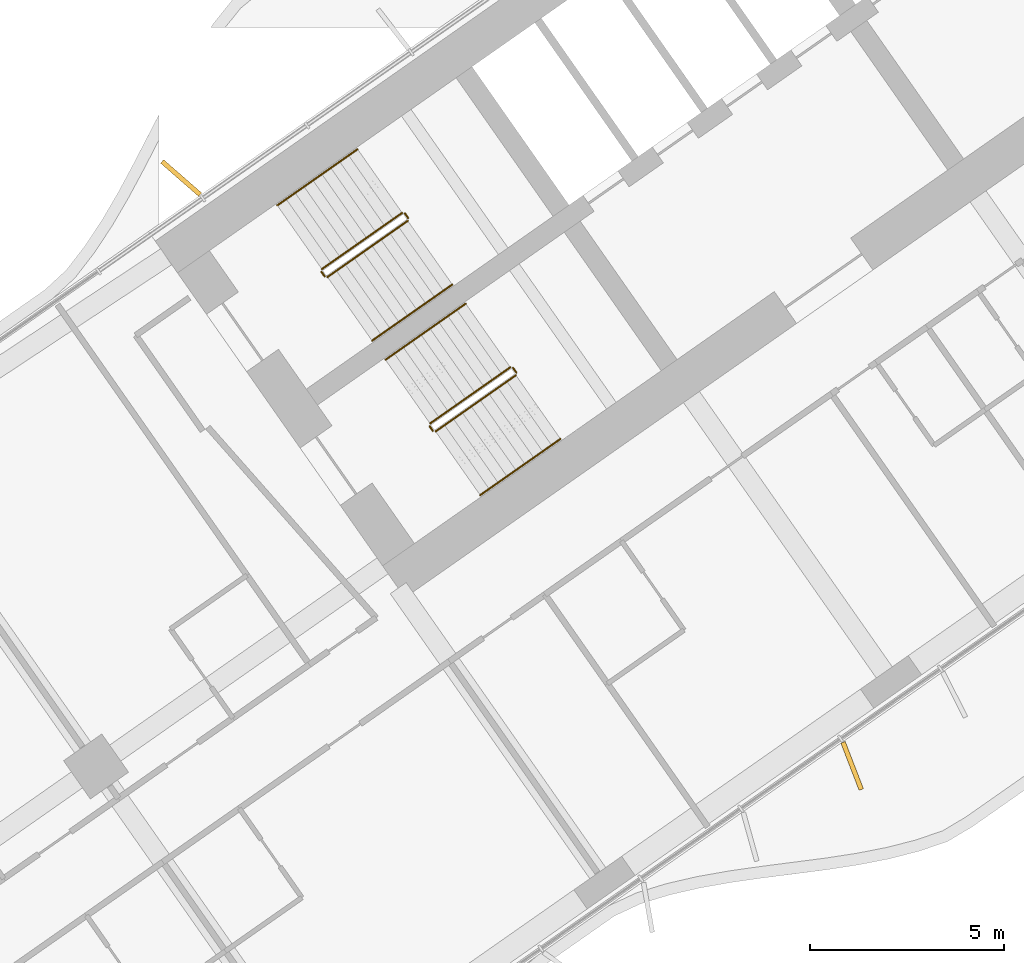
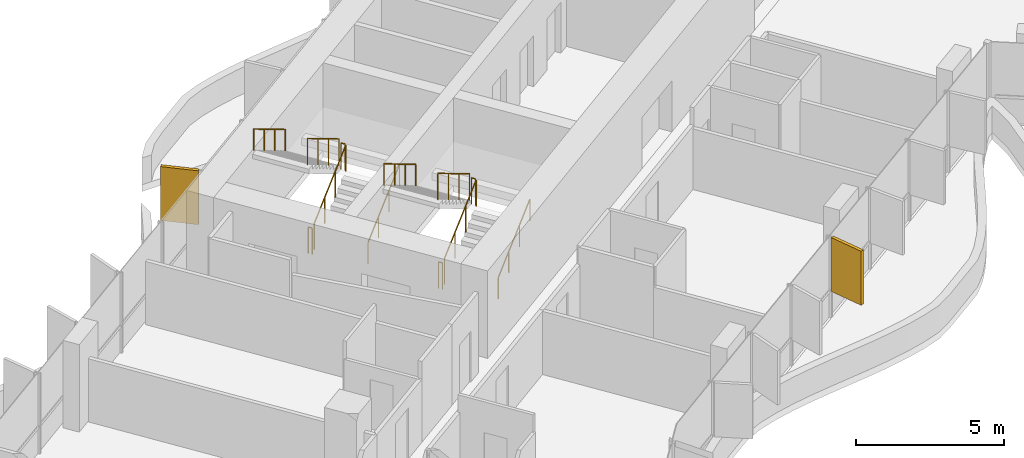
# One storey, part 20 of 25: 12 railings, 2 shading devices.
"""IFC4 building model written with IfcOpenShell, lengths in metres."""

import ifcopenshell
import ifcopenshell.guid

model = None  # the IFC model being written
_history = None  # IfcOwnerHistory: only IFC2X3 demands one
_inside = {}  # id of a spatial element -> (the spatial element, [elements in it])
_under = {}  # id of a project, library or spatial element -> (it, [spatial elements below it])
_declared = {}  # id of a project -> (the project, [libraries it declares])
_typed = {}  # id of a type object -> (the type object, [elements of that type])
_made_of = {}  # id of a material, layer set ... -> (it, [elements and type objects made of it])


def new_model(schema):
    """Start an empty IFC model of exactly this schema.

    Asked for "IFC4X3", IfcOpenShell would pick the latest addendum, in which some entities
    have other attributes; the version numbers below select the first issue.
    IFC2X3 requires an IfcOwnerHistory on every rooted entity: one is made here for all.
    """
    global model, _history
    if schema == "IFC4X3":
        model = ifcopenshell.file(schema_version=(4, 3, 0, 0))
    else:
        model = ifcopenshell.file(schema=schema)
    _inside.clear()
    _under.clear()
    _declared.clear()
    _typed.clear()
    _made_of.clear()
    _history = None
    if model.schema == "IFC2X3":
        org = make("IfcOrganization", Name="unknown")
        user = make(
            "IfcPersonAndOrganization",
            ThePerson=make("IfcPerson", FamilyName="unknown"),
            TheOrganization=org,
        )
        app = make(
            "IfcApplication",
            ApplicationDeveloper=org,
            Version="unknown",
            ApplicationFullName="unknown",
            ApplicationIdentifier="unknown",
        )
        _history = make(
            "IfcOwnerHistory",
            OwningUser=user,
            OwningApplication=app,
            ChangeAction="ADDED",
            CreationDate=0,
        )
    return model


def make(cls, **values):
    """One entity of the class cls with the attributes given. An attribute that is None is left unset."""
    return model.create_entity(
        cls, **{name: value for name, value in values.items() if value is not None}
    )


def rooted(cls, **values):
    """An entity with a GlobalId (a new one), such as an element, a storey or a relation."""
    return make(cls, GlobalId=ifcopenshell.guid.new(), OwnerHistory=_history, **values)


def si_unit(unit_type, name, prefix=None):
    """IfcSIUnit, for example si_unit("LENGTHUNIT", "METRE", prefix="MILLI")."""
    return make("IfcSIUnit", UnitType=unit_type, Prefix=prefix, Name=name)


def assignment(units):
    """IfcUnitAssignment: the units of a project."""
    return None if units is None else make("IfcUnitAssignment", Units=units)


def point(xyz):
    """IfcCartesianPoint."""
    return None if xyz is None else make("IfcCartesianPoint", Coordinates=xyz)


def direction(xyz):
    """IfcDirection."""
    return None if xyz is None else make("IfcDirection", DirectionRatios=xyz)


def frame(location, z_axis=None, x_axis=None):
    """IfcAxis2Placement3D, a coordinate frame: its origin and axes. An axis left out is left unset."""
    return make(
        "IfcAxis2Placement3D",
        Location=point(location),
        Axis=direction(z_axis),
        RefDirection=direction(x_axis),
    )


def frame_2d(location, x_axis=None):
    """IfcAxis2Placement2D, a coordinate frame in the plane: its origin and x axis."""
    return make(
        "IfcAxis2Placement2D", Location=point(location), RefDirection=direction(x_axis)
    )


def origin():
    """The frame at (0, 0, 0) with its axes left unset."""
    return frame((0.0, 0.0, 0.0))


def origin_2d():
    """The frame at (0, 0) in the plane with its x axis left unset."""
    return frame_2d((0.0, 0.0))


def place(relative_to, where):
    """IfcLocalPlacement: puts the frame where relative to a parent placement (None: the world)."""
    return make(
        "IfcLocalPlacement", PlacementRelTo=relative_to, RelativePlacement=where
    )


def context(
    kind, dimensions, precision=None, world=None, true_north=None, identifier=None
):
    """IfcGeometricRepresentationContext, for example the 3D "Model" context."""
    return make(
        "IfcGeometricRepresentationContext",
        ContextIdentifier=identifier,
        ContextType=kind,
        CoordinateSpaceDimension=dimensions,
        Precision=precision,
        WorldCoordinateSystem=world,
        TrueNorth=true_north,
    )


def subcontext(parent, identifier, kind, view, scale=None):
    """IfcGeometricRepresentationSubContext, for example "Body" below "Model"."""
    return make(
        "IfcGeometricRepresentationSubContext",
        ContextIdentifier=identifier,
        ContextType=kind,
        ParentContext=parent,
        TargetScale=scale,
        TargetView=view,
    )


def project(units=None, contexts=None):
    """IfcProject with its units and contexts."""
    return rooted(
        "IfcProject",
        Name="project",
        RepresentationContexts=contexts,
        UnitsInContext=assignment(units),
    )


def spatial(cls, under=None, at=None, **own):
    """A site, building, storey or space (cls), placed at a placement, below another one or the project."""
    s = rooted(cls, ObjectPlacement=at, **own)
    if under is not None:
        _under.setdefault(under.id(), (under, []))[1].append(s)
    return s


def profile(cls, at=None, kind="AREA", **sizes):
    """A parametric profile (cls). Its sizes go by their IFC names, for example OverallWidth=200.0."""
    return make(cls, ProfileType=kind, Position=at, **sizes)


def rectangle(**sizes):
    """IfcRectangleProfileDef."""
    return profile("IfcRectangleProfileDef", **sizes)


def circle(**sizes):
    """IfcCircleProfileDef."""
    return profile("IfcCircleProfileDef", **sizes)


def extrude(swept, where, along, depth):
    """IfcExtrudedAreaSolid: the profile swept, set in the frame where, extruded along a direction by depth."""
    return make(
        "IfcExtrudedAreaSolid",
        SweptArea=swept,
        Position=where,
        ExtrudedDirection=direction(along),
        Depth=depth,
    )


def shape(context_of_items, identifier, shape_type, items):
    """IfcShapeRepresentation: the items that make up one representation, for example the "Body"."""
    return make(
        "IfcShapeRepresentation",
        ContextOfItems=context_of_items,
        RepresentationIdentifier=identifier,
        RepresentationType=shape_type,
        Items=items,
    )


def material(Name=None, Category=None):
    """IfcMaterial."""
    return make("IfcMaterial", Name=Name, Category=Category)


def layer(
    of_material, thickness, ventilated=None, Name=None, Category=None, Priority=None
):
    """IfcMaterialLayer: one layer of a wall or slab, of a material (None: an air gap)."""
    return make(
        "IfcMaterialLayer",
        Material=of_material,
        LayerThickness=thickness,
        IsVentilated=ventilated,
        Name=Name,
        Category=Category,
        Priority=Priority,
    )


def layer_set(layers, Name=None):
    """IfcMaterialLayerSet."""
    return make("IfcMaterialLayerSet", MaterialLayers=layers, LayerSetName=Name)


def made_of(thing, what):
    """Note that an element or type object is made of a material, layer set ...; save() writes the relation."""
    if what is not None:
        _made_of.setdefault(what.id(), (what, []))[1].append(thing)
    return thing


def type_object(cls, material=None, **own):
    """A type object (cls), such as IfcWallType, which elements share."""
    return made_of(rooted(cls, **own), material)


def element(
    cls,
    number,
    at=None,
    inside=None,
    cuts=None,
    type_object=None,
    material=None,
    context=None,
    identifier="Body",
    shape_type=None,
    held_by="IfcProductDefinitionShape",
    body=None,
    shapes=None,
    **own,
):
    """One element of the class cls, such as IfcWall. Its Tag is "e" and its number.

    at: its placement. inside: the storey or other place that contains it. cuts: it is an
    opening in that element (IfcRelVoidsElement). A single representation is given by context,
    identifier, shape_type and body (its items); several are given by shapes. held_by: the class
    of the entity that holds the representations. save() writes the other relations.
    """
    e = rooted(cls, Tag="e%d" % number, ObjectPlacement=at, **own)
    if body is not None:
        shapes = [shape(context, identifier, shape_type, body)]
    if shapes is not None:
        e.Representation = make(held_by, Representations=shapes)
    if inside is not None:
        _inside.setdefault(inside.id(), (inside, []))[1].append(e)
    if cuts is not None:
        rooted(
            "IfcRelVoidsElement", RelatingBuildingElement=cuts, RelatedOpeningElement=e
        )
    if type_object is not None:
        _typed.setdefault(type_object.id(), (type_object, []))[1].append(e)
    return made_of(e, material)


def aggregate(whole, parts):
    """IfcRelAggregates: a whole, such as a stair, and the parts it consists of."""
    return rooted("IfcRelAggregates", RelatingObject=whole, RelatedObjects=parts)


def save(model, path):
    """Write the relations noted so far, then the file.

    IfcRelAggregates (storeys below a building ...), IfcRelContainedInSpatialStructure (elements
    in a storey), IfcRelDefinesByType, IfcRelAssociatesMaterial and IfcRelDeclares: one each for
    every whole, place, type object, material and project.
    """
    for whole, parts in _under.values():
        aggregate(whole, parts)
    for where, things in _inside.values():
        rooted(
            "IfcRelContainedInSpatialStructure",
            RelatedElements=things,
            RelatingStructure=where,
        )
    for kind, things in _typed.values():
        rooted("IfcRelDefinesByType", RelatedObjects=things, RelatingType=kind)
    for what, things in _made_of.values():
        rooted("IfcRelAssociatesMaterial", RelatedObjects=things, RelatingMaterial=what)
    for by, libraries in _declared.values():
        rooted("IfcRelDeclares", RelatingContext=by, RelatedDefinitions=libraries)
    model.write(path)


model = new_model("IFC4")

# Units and contexts
model_context = context("Model", 3, precision=1e-05, world=origin(), true_north=direction((0.0, 1.0)))
body_context = subcontext(model_context, "Body", "Model", "MODEL_VIEW")
ifc_project = project(units=[si_unit("LENGTHUNIT", "METRE"), si_unit("AREAUNIT", "SQUARE_METRE"), si_unit("VOLUMEUNIT", "CUBIC_METRE"), si_unit("PLANEANGLEUNIT", "RADIAN"), si_unit("MASSUNIT", "GRAM", prefix="KILO")], contexts=[model_context])

# Site, building, storey
site_placement = place(None, origin())
site = spatial("IfcSite", under=ifc_project, at=site_placement, CompositionType="ELEMENT")
building_placement = place(site_placement, origin())
building = spatial("IfcBuilding", under=site, at=building_placement, Name="Tel Ilan Convention Tower", CompositionType="ELEMENT")
storey_placement = place(building_placement, frame((0.0, 0.0, 76.10009765625)))
storey = spatial("IfcBuildingStorey", under=building, at=storey_placement, Name="L14", CompositionType="ELEMENT", Elevation=76.10009765625)

# Shading devices
ifc_material_1 = material(Name="Aluminium, bronze anodised", Category="aluminium")
ifc_layer = layer(ifc_material_1, 0.1201171875)
ifc_layer_set = layer_set([ifc_layer], Name="FIN BRONZE 1300x120")
shading_device_type = type_object("IfcShadingDeviceType", Name="FIN BRONZE 1300x120", PredefinedType="USERDEFINED", material=ifc_layer_set)
for number, where, z_axis, x_axis, name in (
    (1, (-27.300537109375, -5.510498046875, 1.10009765625), (0.0, 0.0, 1.0), (-0.753435896329, 0.657521368568, 0.0), "FIN"),
    (2, (-10.03759765625, -20.6337890625, 1.10009765625), (0.0, 0.0, 1.0), (0.360177724803, -0.932883704733, 0.0), "FIN"),
):
    element("IfcShadingDevice", number, at=place(storey_placement, frame(where, z_axis=z_axis, x_axis=x_axis)), inside=storey, type_object=shading_device_type, Name=name, ObjectType="FIN", PredefinedType="USERDEFINED", context=body_context, shape_type="SweptSolid", body=[
        extrude(rectangle(XDim=1.300048828125, YDim=0.1201171875, at=origin_2d()), origin(), (0.0, 0.0, 1.0), 2.219970703125),
    ])

# Railings
ifc_material_2 = material(Name="Stainless Steel Grade 316", Category="steel")
railing_type_1 = type_object("IfcRailingType", Name="Stainless Steel Stair Guard 1100 mm", PredefinedType="GUARDRAIL", material=ifc_material_2)
railing_1_placement = place(storey_placement, frame((-23.535400390625, -8.056396484375, 0.179931640625)))
element("IfcRailing", 3, at=railing_1_placement, inside=storey, type_object=railing_type_1, Name="L14 S1 stair guard 1", PredefinedType="GUARDRAIL", context=body_context, shape_type="SweptSolid", body=[
    extrude(circle(Radius=0.02392578125, at=origin_2d()), frame((0.0, 0.0, 1.076171875), z_axis=(0.689043377453, 0.48253410265, 0.540721798865), x_axis=(-0.573624882958, 0.819118119475, 0.0)), (0.0, 0.0, 1.0), 2.995849609375),
    extrude(circle(Radius=0.02099609375, at=origin_2d()), origin(), (0.0, 0.0, 1.0), 1.052001953125),
    extrude(circle(Radius=0.02099609375, at=origin_2d()), frame((0.68798828125, 0.48193359375, 0.5400390625)), (0.0, 0.0, 1.0), 1.052001953125),
    extrude(circle(Radius=0.02099609375, at=origin_2d()), frame((1.376220703125, 0.963623046875, 1.079833984375)), (0.0, 0.0, 1.0), 1.052001953125),
    extrude(circle(Radius=0.02099609375, at=origin_2d()), frame((2.064208984375, 1.445556640625, 1.619873046875)), (0.0, 0.0, 1.0), 1.052001953125),
])
railing_2_placement = place(storey_placement, frame((-21.458984375, -6.541259765625, 1.7998046875)))
element("IfcRailing", 4, at=railing_2_placement, inside=storey, type_object=railing_type_1, Name="L14 S1 stair guard 2", PredefinedType="GUARDRAIL", context=body_context, shape_type="SweptSolid", body=[
    extrude(circle(Radius=0.02392578125, at=origin_2d()), frame((0.0, 0.0, 1.076171875), z_axis=(-0.573353020881, 0.819308436089, 0.0), x_axis=(-0.819308436089, -0.573353020881, 0.0)), (0.0, 0.0, 1.0), 0.14990234375),
    extrude(circle(Radius=0.02099609375, at=origin_2d()), origin(), (0.0, 0.0, 1.0), 1.052001953125),
    extrude(circle(Radius=0.02099609375, at=origin_2d()), frame((-0.0859375, 0.122802734375, 0.0)), (0.0, 0.0, 1.0), 1.052001953125),
])
railing_3_placement = place(storey_placement, frame((-21.614501953125, -6.406005859375, 1.97998046875)))
element("IfcRailing", 5, at=railing_3_placement, inside=storey, type_object=railing_type_1, Name="L14 S1 stair guard 3", PredefinedType="GUARDRAIL", context=body_context, shape_type="SweptSolid", body=[
    extrude(circle(Radius=0.02392578125, at=origin_2d()), frame((0.0, 0.0, 1.076171875), z_axis=(-0.689043377453, -0.48253410265, 0.540721798865), x_axis=(0.573624882958, -0.819118119475, 0.0)), (0.0, 0.0, 1.0), 2.995849609375),
    extrude(circle(Radius=0.02099609375, at=origin_2d()), origin(), (0.0, 0.0, 1.0), 1.052001953125),
    extrude(circle(Radius=0.02099609375, at=origin_2d()), frame((-0.68798828125, -0.48193359375, 0.5400390625)), (0.0, 0.0, 1.0), 1.052001953125),
    extrude(circle(Radius=0.02099609375, at=origin_2d()), frame((-1.376220703125, -0.963623046875, 1.079833984375)), (0.0, 0.0, 1.0), 1.052001953125),
    extrude(circle(Radius=0.02099609375, at=origin_2d()), frame((-2.064208984375, -1.445556640625, 1.619873046875)), (0.0, 0.0, 1.0), 1.052001953125),
])
railing_4_placement = place(storey_placement, frame((-23.60498046875, -8.0439453125, 0.0)))
element("IfcRailing", 6, at=railing_4_placement, inside=storey, type_object=railing_type_1, Name="L14 S1 stair guard 4", PredefinedType="GUARDRAIL", context=body_context, shape_type="SweptSolid", body=[
    extrude(circle(Radius=0.02392578125, at=origin_2d()), frame((0.0, 0.0, 1.076171875), z_axis=(-0.574444878118, 0.818543268254, 0.0), x_axis=(-0.818543268254, -0.574444878118, 0.0)), (0.0, 0.0, 1.0), 0.150146484375),
    extrude(circle(Radius=0.02099609375, at=origin_2d()), origin(), (0.0, 0.0, 1.0), 1.052001953125),
    extrude(circle(Radius=0.02099609375, at=origin_2d()), frame((-0.086181640625, 0.122802734375, 0.0)), (0.0, 0.0, 1.0), 1.052001953125),
])
railing_5_placement = place(storey_placement, frame((-20.753662109375, -12.029296875, 0.179931640625)))
element("IfcRailing", 7, at=railing_5_placement, inside=storey, type_object=railing_type_1, Name="L14 S2 stair guard 1", PredefinedType="GUARDRAIL", context=body_context, shape_type="SweptSolid", body=[
    extrude(circle(Radius=0.02392578125, at=origin_2d()), frame((0.0, 0.0, 1.076171875), z_axis=(0.689086176785, 0.482507007183, 0.540691436018), x_axis=(-0.573579365141, 0.81914999352, 0.0)), (0.0, 0.0, 1.0), 2.995849609375),
    extrude(circle(Radius=0.02099609375, at=origin_2d()), origin(), (0.0, 0.0, 1.0), 1.052001953125),
    extrude(circle(Radius=0.02099609375, at=origin_2d()), frame((0.688232421875, 0.48193359375, 0.5400390625)), (0.0, 0.0, 1.0), 1.052001953125),
    extrude(circle(Radius=0.02099609375, at=origin_2d()), frame((1.376220703125, 0.963623046875, 1.079833984375)), (0.0, 0.0, 1.0), 1.052001953125),
    extrude(circle(Radius=0.02099609375, at=origin_2d()), frame((2.064453125, 1.445556640625, 1.619873046875)), (0.0, 0.0, 1.0), 1.052001953125),
])
railing_6_placement = place(storey_placement, frame((-18.677001953125, -10.51416015625, 1.7998046875)))
element("IfcRailing", 8, at=railing_6_placement, inside=storey, type_object=railing_type_1, Name="L14 S2 stair guard 2", PredefinedType="GUARDRAIL", context=body_context, shape_type="SweptSolid", body=[
    extrude(circle(Radius=0.02392578125, at=origin_2d()), frame((0.0, 0.0, 1.076171875), z_axis=(-0.573353020881, 0.819308436089, 0.0), x_axis=(-0.819308436089, -0.573353020881, 0.0)), (0.0, 0.0, 1.0), 0.14990234375),
    extrude(circle(Radius=0.02099609375, at=origin_2d()), origin(), (0.0, 0.0, 1.0), 1.052001953125),
    extrude(circle(Radius=0.02099609375, at=origin_2d()), frame((-0.0859375, 0.122802734375, 0.0)), (0.0, 0.0, 1.0), 1.052001953125),
])
railing_7_placement = place(storey_placement, frame((-18.832763671875, -10.37890625, 1.97998046875)))
element("IfcRailing", 9, at=railing_7_placement, inside=storey, type_object=railing_type_1, Name="L14 S2 stair guard 3", PredefinedType="GUARDRAIL", context=body_context, shape_type="SweptSolid", body=[
    extrude(circle(Radius=0.02392578125, at=origin_2d()), frame((0.0, 0.0, 1.076171875), z_axis=(-0.689043377453, -0.48253410265, 0.540721798865), x_axis=(0.573624882958, -0.819118119475, 0.0)), (0.0, 0.0, 1.0), 2.995849609375),
    extrude(circle(Radius=0.02099609375, at=origin_2d()), origin(), (0.0, 0.0, 1.0), 1.052001953125),
    extrude(circle(Radius=0.02099609375, at=origin_2d()), frame((-0.68798828125, -0.48193359375, 0.5400390625)), (0.0, 0.0, 1.0), 1.052001953125),
    extrude(circle(Radius=0.02099609375, at=origin_2d()), frame((-1.376220703125, -0.963623046875, 1.079833984375)), (0.0, 0.0, 1.0), 1.052001953125),
    extrude(circle(Radius=0.02099609375, at=origin_2d()), frame((-2.064208984375, -1.445556640625, 1.619873046875)), (0.0, 0.0, 1.0), 1.052001953125),
])
railing_8_placement = place(storey_placement, frame((-20.8232421875, -12.016845703125, 0.0)))
element("IfcRailing", 10, at=railing_8_placement, inside=storey, type_object=railing_type_1, Name="L14 S2 stair guard 4", PredefinedType="GUARDRAIL", context=body_context, shape_type="SweptSolid", body=[
    extrude(circle(Radius=0.02392578125, at=origin_2d()), frame((0.0, 0.0, 1.076171875), z_axis=(-0.573353020881, 0.819308436089, 0.0), x_axis=(-0.819308436089, -0.573353020881, 0.0)), (0.0, 0.0, 1.0), 0.14990234375),
    extrude(circle(Radius=0.02099609375, at=origin_2d()), origin(), (0.0, 0.0, 1.0), 1.052001953125),
    extrude(circle(Radius=0.02099609375, at=origin_2d()), frame((-0.0859375, 0.122802734375, 0.0)), (0.0, 0.0, 1.0), 1.052001953125),
])
ifc_material_3 = material(Name="Stainless Steel Grade 316", Category="steel")
railing_type_2 = type_object("IfcRailingType", Name="Stainless Steel Stair Handrail 900 mm", PredefinedType="HANDRAIL", material=ifc_material_3)
railing_9_placement = place(storey_placement, frame((-22.38818359375, -9.694580078125, 0.179931640625)))
element("IfcRailing", 11, at=railing_9_placement, inside=storey, type_object=railing_type_2, Name="L14 S1 stair handrail 1", PredefinedType="HANDRAIL", context=body_context, shape_type="SweptSolid", body=[
    extrude(circle(Radius=0.02392578125, at=origin_2d()), frame((0.0, 0.0, 0.8759765625), z_axis=(0.68907047291, 0.482471578903, 0.540743061828), x_axis=(-0.573559875649, 0.819163639968, 0.0)), (0.0, 0.0, 1.0), 2.99560546875),
    extrude(circle(Radius=0.02099609375, at=origin_2d()), origin(), (0.0, 0.0, 1.0), 0.851806640625),
    extrude(circle(Radius=0.02099609375, at=origin_2d()), frame((0.68798828125, 0.481689453125, 0.5400390625)), (0.0, 0.0, 1.0), 0.851806640625),
    extrude(circle(Radius=0.02099609375, at=origin_2d()), frame((1.376220703125, 0.963623046875, 1.079833984375)), (0.0, 0.0, 1.0), 0.851806640625),
    extrude(circle(Radius=0.02099609375, at=origin_2d()), frame((2.064208984375, 1.4453125, 1.619873046875)), (0.0, 0.0, 1.0), 0.851806640625),
])
railing_10_placement = place(storey_placement, frame((-22.76171875, -4.767822265625, 1.97998046875)))
element("IfcRailing", 12, at=railing_10_placement, inside=storey, type_object=railing_type_2, Name="L14 S1 stair handrail 2", PredefinedType="HANDRAIL", context=body_context, shape_type="SweptSolid", body=[
    extrude(circle(Radius=0.02392578125, at=origin_2d()), frame((0.0, 0.0, 0.8759765625), z_axis=(-0.68907047291, -0.482471578903, 0.540743061828), x_axis=(0.573559875649, -0.819163639968, 0.0)), (0.0, 0.0, 1.0), 2.99560546875),
    extrude(circle(Radius=0.02099609375, at=origin_2d()), origin(), (0.0, 0.0, 1.0), 0.851806640625),
    extrude(circle(Radius=0.02099609375, at=origin_2d()), frame((-0.68798828125, -0.481689453125, 0.5400390625)), (0.0, 0.0, 1.0), 0.851806640625),
    extrude(circle(Radius=0.02099609375, at=origin_2d()), frame((-1.376220703125, -0.963623046875, 1.079833984375)), (0.0, 0.0, 1.0), 0.851806640625),
    extrude(circle(Radius=0.02099609375, at=origin_2d()), frame((-2.064208984375, -1.4453125, 1.619873046875)), (0.0, 0.0, 1.0), 0.851806640625),
])
railing_11_placement = place(storey_placement, frame((-19.6064453125, -13.66748046875, 0.179931640625)))
element("IfcRailing", 13, at=railing_11_placement, inside=storey, type_object=railing_type_2, Name="L14 S2 stair handrail 1", PredefinedType="HANDRAIL", context=body_context, shape_type="SweptSolid", body=[
    extrude(circle(Radius=0.02392578125, at=origin_2d()), frame((0.0, 0.0, 0.8759765625), z_axis=(0.68907047291, 0.482471578903, 0.540743061828), x_axis=(-0.573559875649, 0.819163639968, 0.0)), (0.0, 0.0, 1.0), 2.99560546875),
    extrude(circle(Radius=0.02099609375, at=origin_2d()), origin(), (0.0, 0.0, 1.0), 0.851806640625),
    extrude(circle(Radius=0.02099609375, at=origin_2d()), frame((0.68798828125, 0.481689453125, 0.5400390625)), (0.0, 0.0, 1.0), 0.851806640625),
    extrude(circle(Radius=0.02099609375, at=origin_2d()), frame((1.376220703125, 0.963623046875, 1.079833984375)), (0.0, 0.0, 1.0), 0.851806640625),
    extrude(circle(Radius=0.02099609375, at=origin_2d()), frame((2.064208984375, 1.4453125, 1.619873046875)), (0.0, 0.0, 1.0), 0.851806640625),
])
railing_12_placement = place(storey_placement, frame((-19.979736328125, -8.74072265625, 1.97998046875)))
element("IfcRailing", 14, at=railing_12_placement, inside=storey, type_object=railing_type_2, Name="L14 S2 stair handrail 2", PredefinedType="HANDRAIL", context=body_context, shape_type="SweptSolid", body=[
    extrude(circle(Radius=0.02392578125, at=origin_2d()), frame((0.0, 0.0, 0.8759765625), z_axis=(-0.689113270881, -0.482444484817, 0.540712695399), x_axis=(0.573514357932, -0.81919550856, 0.0)), (0.0, 0.0, 1.0), 2.995849609375),
    extrude(circle(Radius=0.02099609375, at=origin_2d()), origin(), (0.0, 0.0, 1.0), 0.851806640625),
    extrude(circle(Radius=0.02099609375, at=origin_2d()), frame((-0.688232421875, -0.481689453125, 0.5400390625)), (0.0, 0.0, 1.0), 0.851806640625),
    extrude(circle(Radius=0.02099609375, at=origin_2d()), frame((-1.376220703125, -0.963623046875, 1.079833984375)), (0.0, 0.0, 1.0), 0.851806640625),
    extrude(circle(Radius=0.02099609375, at=origin_2d()), frame((-2.064453125, -1.4453125, 1.619873046875)), (0.0, 0.0, 1.0), 0.851806640625),
])

save(model, "model.ifc")
